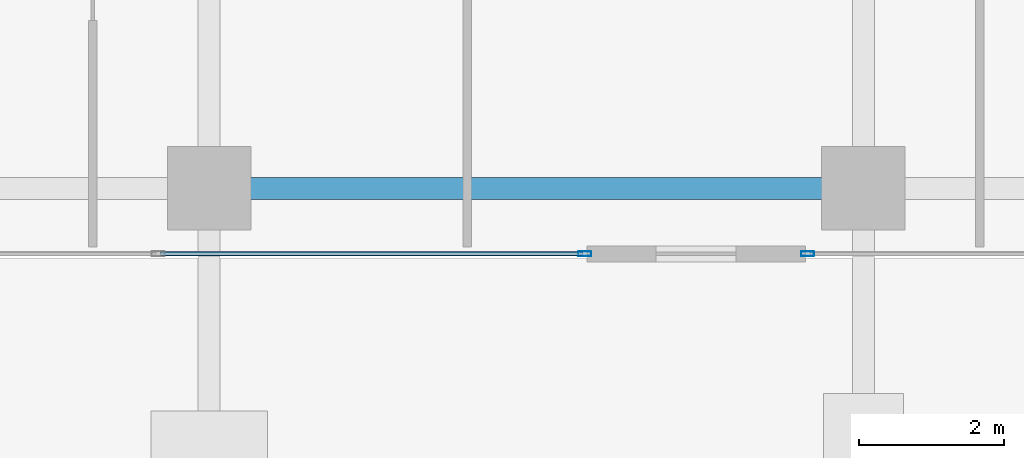
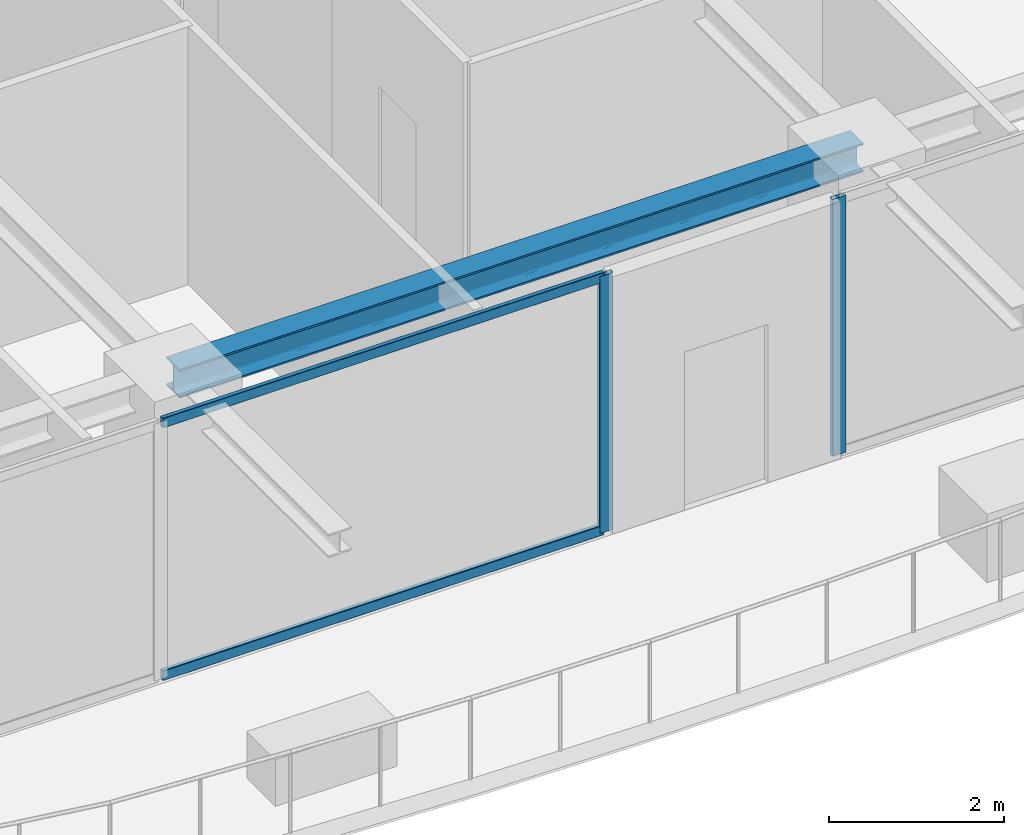
# One storey, part 6 of 36: 4 members, 1 beam, 2 elements without a shape of their own.
"""IFC4 building model written with IfcOpenShell, lengths in metres."""

from ifc_helpers import new_model, si_unit, direction, frame, origin, origin_2d, place, context, subcontext, project, spatial, hollow_rectangle, i_section, extrude, source, transform, mapped, material, layer, layer_set, material_profile, profile_set, type_object, element, aggregate, save


model = new_model("IFC4")

# Units and contexts
model_context = context("Model", 3, precision=1e-05, world=origin(), true_north=direction((0.0, 1.0)))
body_context = subcontext(model_context, "Body", "Model", "MODEL_VIEW")
ifc_project = project(units=[si_unit("LENGTHUNIT", "METRE"), si_unit("AREAUNIT", "SQUARE_METRE"), si_unit("VOLUMEUNIT", "CUBIC_METRE"), si_unit("PLANEANGLEUNIT", "RADIAN"), si_unit("MASSUNIT", "GRAM", prefix="KILO")], contexts=[model_context])

# Site, building, storey
site_placement = place(None, origin())
site = spatial("IfcSite", under=ifc_project, at=site_placement, CompositionType="ELEMENT")
building_placement = place(site_placement, origin())
building = spatial("IfcBuilding", under=site, at=building_placement, Name="Serunith Strait Residences", CompositionType="ELEMENT")
storey_placement = place(building_placement, frame((0.0, 0.0, 256.64990234375)))
storey = spatial("IfcBuildingStorey", under=building, at=storey_placement, Name="L64", CompositionType="ELEMENT", Elevation=256.64990234375)

# Beam
ifc_material_1 = material(Name="Steel S355J2", Category="steel")
ifc_material_profile_1 = material_profile(ifc_material_1, i_section(OverallWidth=0.300048828125, OverallDepth=0.39990234375, WebThickness=0.013427734375, FlangeThickness=0.02392578125, FilletRadius=0.027099609375, at=origin_2d()), Name="HEB 400")
ifc_profile_set_1 = profile_set([ifc_material_profile_1], Name="Steel S355J2")
beam_type = type_object("IfcBeamType", Name="BM-HEB400", PredefinedType="BEAM", material=ifc_profile_set_1)
shared_shape_1 = source(origin(), body_context, "Body", "SweptSolid", [
    extrude(i_section(OverallWidth=0.300048828125, OverallDepth=0.39990234375, WebThickness=0.013427734375, FlangeThickness=0.02392578125, FilletRadius=0.027099609375, at=origin_2d()), origin(), (0.0, 0.0, 1.0), 9.0),
])
beam_placement = place(storey_placement, frame((27.89990234375, 2.10009765625, 3.38720703125), z_axis=(1.0, 0.0, 0.0), x_axis=(0.0, 1.0, 0.0)))
element("IfcBeam", 1, at=beam_placement, inside=storey, type_object=beam_type, Name="L64 Perimeter Ring Beam 02", PredefinedType="BEAM", context=body_context, shape_type="MappedRepresentation", body=[
    mapped(shared_shape_1, transform((0.0, 0.0, 0.0), scale=1.0)),
])

# Curtain wall, member
ifc_material_2 = material(Name="Pale-Champagne Anodised Aluminium", Category="aluminium")
ifc_layer = layer(ifc_material_2, 0.199951171875, Name="Pale-Champagne Anodised Aluminium")
ifc_layer_set = layer_set([ifc_layer], Name="Pale-Champagne Anodised Aluminium")
curtain_wall_type = type_object("IfcCurtainWallType", Name="CW-SYS4", PredefinedType="NOTDEFINED", material=ifc_layer_set)
curtain_wall_1_placement = place(storey_placement, origin())
curtain_wall_1 = element("IfcCurtainWall", 2, at=curtain_wall_1_placement, inside=storey, type_object=curtain_wall_type, Name="L64 S Unitised Fritted Curtain Wall", PredefinedType="NOTDEFINED")
ifc_material_profile_2 = material_profile(ifc_material_2, hollow_rectangle(XDim=0.06494140625, YDim=0.179931640625, WallThickness=0.00341796875, InnerFilletRadius=0.00537109375, OuterFilletRadius=0.0087890625, at=origin_2d()), Name="ALU 180x65x3.5")
ifc_profile_set_2 = profile_set([ifc_material_profile_2], Name="Pale-Champagne Anodised Aluminium")
member_type_1 = type_object("IfcMemberType", Name="CW-SYS4-MULL", PredefinedType="MULLION", material=ifc_profile_set_2)
shared_shape_2 = source(origin(), body_context, "Body", "SweptSolid", [
    extrude(hollow_rectangle(XDim=0.06494140625, YDim=0.179931640625, WallThickness=0.00341796875, InnerFilletRadius=0.00537109375, OuterFilletRadius=0.0087890625, at=origin_2d()), origin(), (0.0, 0.0, 1.0), 3.5751953125),
])
member_1_placement = place(storey_placement, frame((33.0673828125, 1.199951171875, 0.0), z_axis=(0.0, 0.0, 1.0), x_axis=(0.0, 1.0, 0.0)))
member_1 = element("IfcMember", 3, at=member_1_placement, type_object=member_type_1, Name="CW-4 mullion 4", PredefinedType="MULLION", context=body_context, shape_type="MappedRepresentation", body=[
    mapped(shared_shape_2, transform((0.0, 0.0, 0.0), scale=1.0)),
])

curtain_wall_2_placement = place(storey_placement, origin())
curtain_wall_2 = element("IfcCurtainWall", 4, at=curtain_wall_2_placement, inside=storey, type_object=curtain_wall_type, Name="L64 S Unitised Fritted Curtain Wall", PredefinedType="NOTDEFINED")
member_2_placement = place(storey_placement, frame((36.132568359375, 1.199951171875, 0.0), z_axis=(0.0, 0.0, 1.0), x_axis=(0.0, 1.0, 0.0)))
member_2 = element("IfcMember", 5, at=member_2_placement, type_object=member_type_1, Name="CW-4 mullion 1", PredefinedType="MULLION", context=body_context, shape_type="MappedRepresentation", body=[
    mapped(shared_shape_2, transform((0.0, 0.0, 0.0), scale=1.0)),
])
aggregate(curtain_wall_2, [member_2])

# Member
ifc_material_profile_3 = material_profile(ifc_material_2, hollow_rectangle(XDim=0.06005859375, YDim=0.139892578125, WallThickness=0.00341796875, InnerFilletRadius=0.00537109375, OuterFilletRadius=0.0087890625, at=origin_2d()), Name="ALU 140x60x3.5")
ifc_profile_set_3 = profile_set([ifc_material_profile_3], Name="Pale-Champagne Anodised Aluminium")
member_type_2 = type_object("IfcMemberType", Name="CW-SYS4-TRAN", PredefinedType="USERDEFINED", material=ifc_profile_set_3)
shared_shape_3 = source(origin(), body_context, "Body", "SweptSolid", [
    extrude(hollow_rectangle(XDim=0.06005859375, YDim=0.139892578125, WallThickness=0.00341796875, InnerFilletRadius=0.00537109375, OuterFilletRadius=0.0087890625, at=origin_2d()), origin(), (0.0, 0.0, 1.0), 5.802490234375),
])
member_3_placement = place(storey_placement, frame((27.232421875, 1.199951171875, 0.030029296875), z_axis=(1.0, 0.0, 0.0), x_axis=(0.0, 1.0, 0.0)))
member_3 = element("IfcMember", 6, at=member_3_placement, type_object=member_type_2, Name="CW-4 transom 3.1", ObjectType="TRANSOM", PredefinedType="USERDEFINED", context=body_context, shape_type="MappedRepresentation", body=[
    mapped(shared_shape_3, transform((0.0, 0.0, 0.0), scale=1.0)),
])

member_4_placement = place(storey_placement, frame((27.232421875, 1.199951171875, 3.545166015625), z_axis=(1.0, 0.0, 0.0), x_axis=(0.0, 1.0, 0.0)))
member_4 = element("IfcMember", 7, at=member_4_placement, type_object=member_type_2, Name="CW-4 transom 3.2", ObjectType="TRANSOM", PredefinedType="USERDEFINED", context=body_context, shape_type="MappedRepresentation", body=[
    mapped(shared_shape_3, transform((0.0, 0.0, 0.0), scale=1.0)),
])

aggregate(curtain_wall_1, [member_1, member_3, member_4])

save(model, "model.ifc")
